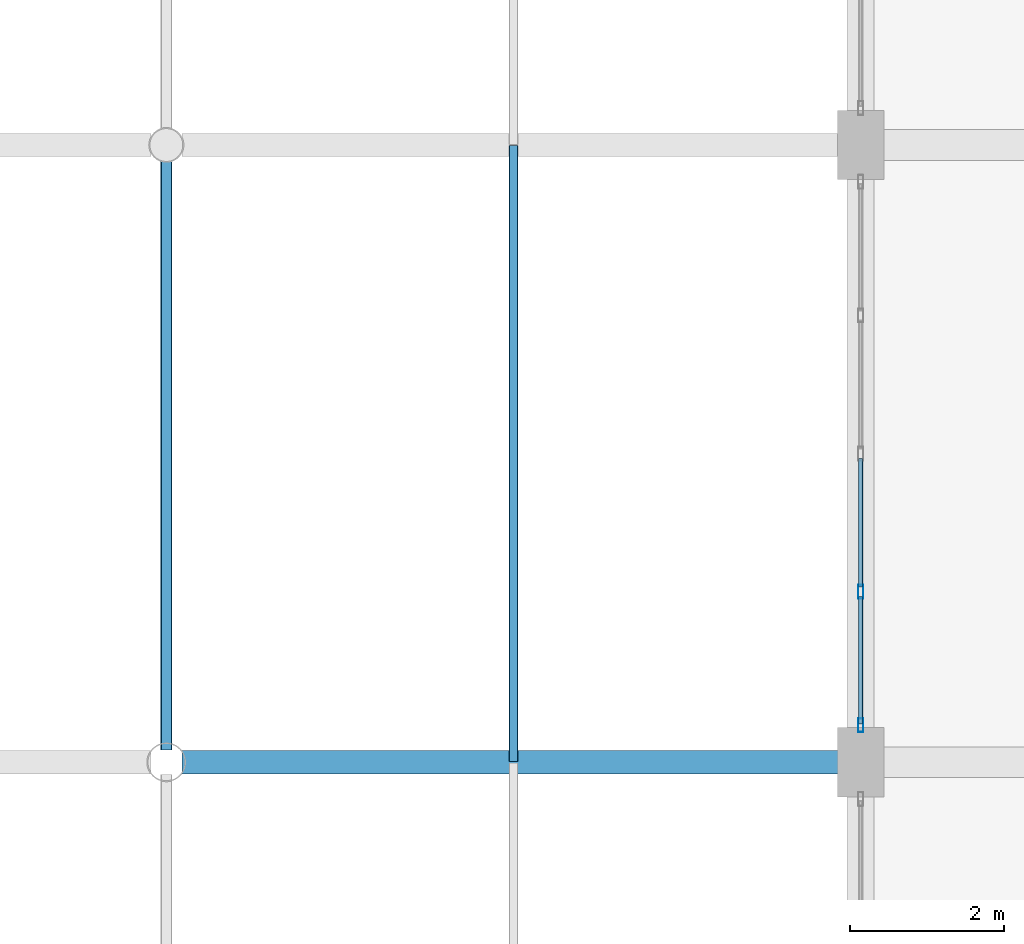
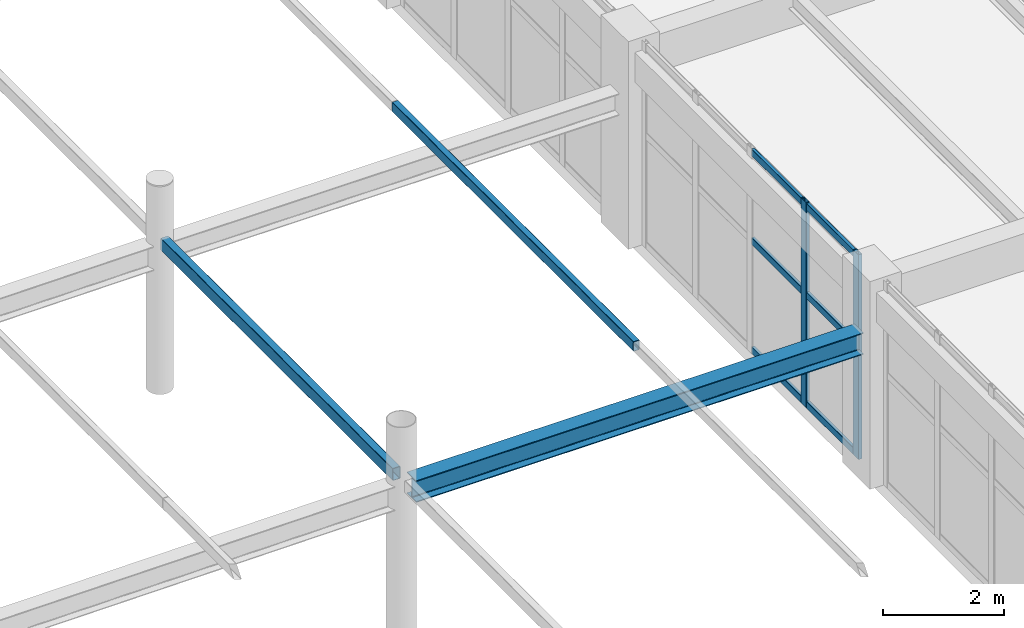
# One storey, part 37 of 148: 10 members, 1 beam, 1 element without a shape of its own.
"""IFC4 building model written with IfcOpenShell, lengths in metres."""

import ifcopenshell
import ifcopenshell.guid

model = None  # the IFC model being written
_history = None  # IfcOwnerHistory: only IFC2X3 demands one
_inside = {}  # id of a spatial element -> (the spatial element, [elements in it])
_under = {}  # id of a project, library or spatial element -> (it, [spatial elements below it])
_declared = {}  # id of a project -> (the project, [libraries it declares])
_typed = {}  # id of a type object -> (the type object, [elements of that type])
_made_of = {}  # id of a material, layer set ... -> (it, [elements and type objects made of it])


def new_model(schema):
    """Start an empty IFC model of exactly this schema.

    Asked for "IFC4X3", IfcOpenShell would pick the latest addendum, in which some entities
    have other attributes; the version numbers below select the first issue.
    IFC2X3 requires an IfcOwnerHistory on every rooted entity: one is made here for all.
    """
    global model, _history
    if schema == "IFC4X3":
        model = ifcopenshell.file(schema_version=(4, 3, 0, 0))
    else:
        model = ifcopenshell.file(schema=schema)
    _inside.clear()
    _under.clear()
    _declared.clear()
    _typed.clear()
    _made_of.clear()
    _history = None
    if model.schema == "IFC2X3":
        org = make("IfcOrganization", Name="unknown")
        user = make(
            "IfcPersonAndOrganization",
            ThePerson=make("IfcPerson", FamilyName="unknown"),
            TheOrganization=org,
        )
        app = make(
            "IfcApplication",
            ApplicationDeveloper=org,
            Version="unknown",
            ApplicationFullName="unknown",
            ApplicationIdentifier="unknown",
        )
        _history = make(
            "IfcOwnerHistory",
            OwningUser=user,
            OwningApplication=app,
            ChangeAction="ADDED",
            CreationDate=0,
        )
    return model


def make(cls, **values):
    """One entity of the class cls with the attributes given. An attribute that is None is left unset."""
    return model.create_entity(
        cls, **{name: value for name, value in values.items() if value is not None}
    )


def rooted(cls, **values):
    """An entity with a GlobalId (a new one), such as an element, a storey or a relation."""
    return make(cls, GlobalId=ifcopenshell.guid.new(), OwnerHistory=_history, **values)


def si_unit(unit_type, name, prefix=None):
    """IfcSIUnit, for example si_unit("LENGTHUNIT", "METRE", prefix="MILLI")."""
    return make("IfcSIUnit", UnitType=unit_type, Prefix=prefix, Name=name)


def derived_unit(unit_type, elements):
    """IfcDerivedUnit: a product of units, each with its exponent."""
    return make(
        "IfcDerivedUnit",
        Elements=[
            make("IfcDerivedUnitElement", Unit=unit, Exponent=power)
            for unit, power in elements
        ],
        UnitType=unit_type,
    )


def assignment(units):
    """IfcUnitAssignment: the units of a project."""
    return None if units is None else make("IfcUnitAssignment", Units=units)


def point(xyz):
    """IfcCartesianPoint."""
    return None if xyz is None else make("IfcCartesianPoint", Coordinates=xyz)


def direction(xyz):
    """IfcDirection."""
    return None if xyz is None else make("IfcDirection", DirectionRatios=xyz)


def frame(location, z_axis=None, x_axis=None):
    """IfcAxis2Placement3D, a coordinate frame: its origin and axes. An axis left out is left unset."""
    return make(
        "IfcAxis2Placement3D",
        Location=point(location),
        Axis=direction(z_axis),
        RefDirection=direction(x_axis),
    )


def frame_2d(location, x_axis=None):
    """IfcAxis2Placement2D, a coordinate frame in the plane: its origin and x axis."""
    return make(
        "IfcAxis2Placement2D", Location=point(location), RefDirection=direction(x_axis)
    )


def origin():
    """The frame at (0, 0, 0) with its axes left unset."""
    return frame((0.0, 0.0, 0.0))


def origin_2d():
    """The frame at (0, 0) in the plane with its x axis left unset."""
    return frame_2d((0.0, 0.0))


def place(relative_to, where):
    """IfcLocalPlacement: puts the frame where relative to a parent placement (None: the world)."""
    return make(
        "IfcLocalPlacement", PlacementRelTo=relative_to, RelativePlacement=where
    )


def context(
    kind, dimensions, precision=None, world=None, true_north=None, identifier=None
):
    """IfcGeometricRepresentationContext, for example the 3D "Model" context."""
    return make(
        "IfcGeometricRepresentationContext",
        ContextIdentifier=identifier,
        ContextType=kind,
        CoordinateSpaceDimension=dimensions,
        Precision=precision,
        WorldCoordinateSystem=world,
        TrueNorth=true_north,
    )


def subcontext(parent, identifier, kind, view, scale=None):
    """IfcGeometricRepresentationSubContext, for example "Body" below "Model"."""
    return make(
        "IfcGeometricRepresentationSubContext",
        ContextIdentifier=identifier,
        ContextType=kind,
        ParentContext=parent,
        TargetScale=scale,
        TargetView=view,
    )


def project(units=None, contexts=None):
    """IfcProject with its units and contexts."""
    return rooted(
        "IfcProject",
        Name="project",
        RepresentationContexts=contexts,
        UnitsInContext=assignment(units),
    )


def spatial(cls, under=None, at=None, **own):
    """A site, building, storey or space (cls), placed at a placement, below another one or the project."""
    s = rooted(cls, ObjectPlacement=at, **own)
    if under is not None:
        _under.setdefault(under.id(), (under, []))[1].append(s)
    return s


def profile(cls, at=None, kind="AREA", **sizes):
    """A parametric profile (cls). Its sizes go by their IFC names, for example OverallWidth=200.0."""
    return make(cls, ProfileType=kind, Position=at, **sizes)


def hollow_rectangle(**sizes):
    """IfcRectangleHollowProfileDef."""
    return profile("IfcRectangleHollowProfileDef", **sizes)


def i_section(**sizes):
    """IfcIShapeProfileDef."""
    return profile("IfcIShapeProfileDef", **sizes)


def extrude(swept, where, along, depth):
    """IfcExtrudedAreaSolid: the profile swept, set in the frame where, extruded along a direction by depth."""
    return make(
        "IfcExtrudedAreaSolid",
        SweptArea=swept,
        Position=where,
        ExtrudedDirection=direction(along),
        Depth=depth,
    )


def shape(context_of_items, identifier, shape_type, items):
    """IfcShapeRepresentation: the items that make up one representation, for example the "Body"."""
    return make(
        "IfcShapeRepresentation",
        ContextOfItems=context_of_items,
        RepresentationIdentifier=identifier,
        RepresentationType=shape_type,
        Items=items,
    )


def material(Name=None, Category=None):
    """IfcMaterial."""
    return make("IfcMaterial", Name=Name, Category=Category)


def material_profile(
    of_material, cross_section, Name=None, Category=None, Priority=None
):
    """IfcMaterialProfile: a cross section and its material."""
    return make(
        "IfcMaterialProfile",
        Name=Name,
        Material=of_material,
        Profile=cross_section,
        Priority=Priority,
        Category=Category,
    )


def profile_set(profiles, Name=None, composite=None):
    """IfcMaterialProfileSet."""
    return make(
        "IfcMaterialProfileSet",
        Name=Name,
        MaterialProfiles=profiles,
        CompositeProfile=composite,
    )


def made_of(thing, what):
    """Note that an element or type object is made of a material, layer set ...; save() writes the relation."""
    if what is not None:
        _made_of.setdefault(what.id(), (what, []))[1].append(thing)
    return thing


def type_object(cls, material=None, **own):
    """A type object (cls), such as IfcWallType, which elements share."""
    return made_of(rooted(cls, **own), material)


def element(
    cls,
    number,
    at=None,
    inside=None,
    cuts=None,
    type_object=None,
    material=None,
    context=None,
    identifier="Body",
    shape_type=None,
    held_by="IfcProductDefinitionShape",
    body=None,
    shapes=None,
    **own,
):
    """One element of the class cls, such as IfcWall. Its Tag is "e" and its number.

    at: its placement. inside: the storey or other place that contains it. cuts: it is an
    opening in that element (IfcRelVoidsElement). A single representation is given by context,
    identifier, shape_type and body (its items); several are given by shapes. held_by: the class
    of the entity that holds the representations. save() writes the other relations.
    """
    e = rooted(cls, Tag="e%d" % number, ObjectPlacement=at, **own)
    if body is not None:
        shapes = [shape(context, identifier, shape_type, body)]
    if shapes is not None:
        e.Representation = make(held_by, Representations=shapes)
    if inside is not None:
        _inside.setdefault(inside.id(), (inside, []))[1].append(e)
    if cuts is not None:
        rooted(
            "IfcRelVoidsElement", RelatingBuildingElement=cuts, RelatedOpeningElement=e
        )
    if type_object is not None:
        _typed.setdefault(type_object.id(), (type_object, []))[1].append(e)
    return made_of(e, material)


def aggregate(whole, parts):
    """IfcRelAggregates: a whole, such as a stair, and the parts it consists of."""
    return rooted("IfcRelAggregates", RelatingObject=whole, RelatedObjects=parts)


def save(model, path):
    """Write the relations noted so far, then the file.

    IfcRelAggregates (storeys below a building ...), IfcRelContainedInSpatialStructure (elements
    in a storey), IfcRelDefinesByType, IfcRelAssociatesMaterial and IfcRelDeclares: one each for
    every whole, place, type object, material and project.
    """
    for whole, parts in _under.values():
        aggregate(whole, parts)
    for where, things in _inside.values():
        rooted(
            "IfcRelContainedInSpatialStructure",
            RelatedElements=things,
            RelatingStructure=where,
        )
    for kind, things in _typed.values():
        rooted("IfcRelDefinesByType", RelatedObjects=things, RelatingType=kind)
    for what, things in _made_of.values():
        rooted("IfcRelAssociatesMaterial", RelatedObjects=things, RelatingMaterial=what)
    for by, libraries in _declared.values():
        rooted("IfcRelDeclares", RelatingContext=by, RelatedDefinitions=libraries)
    model.write(path)


model = new_model("IFC4")

# Units and contexts
model_context = context("Model", 3, precision=1e-05, world=origin(), true_north=direction((0.0, 1.0)))
body_context = subcontext(model_context, "Body", "Model", "MODEL_VIEW")
ifc_project = project(units=[si_unit("LENGTHUNIT", "METRE"), si_unit("AREAUNIT", "SQUARE_METRE"), si_unit("VOLUMEUNIT", "CUBIC_METRE"), si_unit("PLANEANGLEUNIT", "RADIAN"), si_unit("MASSUNIT", "GRAM", prefix="KILO"), derived_unit("THERMALTRANSMITTANCEUNIT", [(si_unit("MASSUNIT", "GRAM", prefix="KILO"), 1), (si_unit("TIMEUNIT", "SECOND"), -3), (si_unit("THERMODYNAMICTEMPERATUREUNIT", "KELVIN"), -1)])], contexts=[model_context])

# Site, building, storey
site_placement = place(None, origin())
site = spatial("IfcSite", under=ifc_project, at=site_placement, CompositionType="ELEMENT")
building_placement = place(site_placement, origin())
building = spatial("IfcBuilding", under=site, at=building_placement, Name="Zhenchuan Archway Interchange", CompositionType="ELEMENT")
storey_placement = place(building_placement, frame((0.0, 0.0, 10.199951171875)))
storey = spatial("IfcBuildingStorey", under=building, at=storey_placement, Name="L02", CompositionType="ELEMENT", Elevation=10.199951171875)

# Beam
ifc_material_1 = material(Name="Steel Q355", Category="steel")
ifc_material_profile_1 = material_profile(ifc_material_1, i_section(OverallWidth=0.300048828125, OverallDepth=0.43994140625, WebThickness=0.010986328125, FlangeThickness=0.01806640625, FilletRadius=0.02197265625, at=origin_2d()), Name="HM 440x300")
ifc_profile_set_1 = profile_set([ifc_material_profile_1], Name="Steel Q355")
beam_type = type_object("IfcBeamType", Name="BM_STL_HM440", PredefinedType="BEAM", material=ifc_profile_set_1)
beam_placement = place(storey_placement, frame((18.199951171875, 56.0, 2.75), z_axis=(1.0, 0.0, 0.0), x_axis=(0.0, 1.0, 0.0)))
element("IfcBeam", 1, at=beam_placement, inside=storey, type_object=beam_type, Name="ROOF TRUSS bus canopy T5 east bottom chord", PredefinedType="BEAM", context=body_context, shape_type="SweptSolid", body=[
    extrude(i_section(OverallWidth=0.300048828125, OverallDepth=0.43994140625, WebThickness=0.010986328125, FlangeThickness=0.01806640625, FilletRadius=0.02197265625, at=origin_2d()), origin(), (0.0, 0.0, 1.0), 8.550048828125),
])

# Curtain wall, members
ifc_material_2 = material(Name="Anodised Aluminium", Category="aluminium")
curtain_wall_type = type_object("IfcCurtainWallType", Name="CW_UNIT_3", PredefinedType="NOTDEFINED", material=ifc_material_2)
curtain_wall_placement = place(storey_placement, origin())
curtain_wall = element("IfcCurtainWall", 2, at=curtain_wall_placement, inside=storey, type_object=curtain_wall_type, Name="Unitised curtain wall CW:L02:130", PredefinedType="NOTDEFINED")
ifc_material_profile_2 = material_profile(ifc_material_2, hollow_rectangle(XDim=0.070068359375, YDim=0.179931640625, WallThickness=0.00390625, InnerFilletRadius=0.00390625, OuterFilletRadius=0.008056640625, at=origin_2d()), Name="ALU 180x70x4")
ifc_profile_set_2 = profile_set([ifc_material_profile_2], Name="Anodised Aluminium")
member_type_1 = type_object("IfcMemberType", Name="CW_MUL_180", PredefinedType="MULLION", material=ifc_profile_set_2)
member_1_placement = place(storey_placement, frame((27.0, 56.47802734375, 0.0), z_axis=(0.0, 0.0, 1.0), x_axis=(1.0, 0.0, 0.0)))
member_1 = element("IfcMember", 3, at=member_1_placement, type_object=member_type_1, Name="CW:L02:130 mullion 0", PredefinedType="MULLION", context=body_context, shape_type="SweptSolid", body=[
    extrude(hollow_rectangle(XDim=0.070068359375, YDim=0.179931640625, WallThickness=0.00390625, InnerFilletRadius=0.00390625, OuterFilletRadius=0.008056640625, at=origin_2d()), origin(), (0.0, 0.0, 1.0), 4.14013671875),
])
member_2_placement = place(storey_placement, frame((27.0, 58.208984375, 0.0), z_axis=(0.0, 0.0, 1.0), x_axis=(1.0, 0.0, 0.0)))
member_2 = element("IfcMember", 4, at=member_2_placement, type_object=member_type_1, Name="CW:L02:130 mullion 1", PredefinedType="MULLION", context=body_context, shape_type="SweptSolid", body=[
    extrude(hollow_rectangle(XDim=0.070068359375, YDim=0.179931640625, WallThickness=0.00390625, InnerFilletRadius=0.00390625, OuterFilletRadius=0.008056640625, at=origin_2d()), origin(), (0.0, 0.0, 1.0), 4.14013671875),
])
ifc_material_profile_3 = material_profile(ifc_material_2, hollow_rectangle(XDim=0.06005859375, YDim=0.139892578125, WallThickness=0.00341796875, InnerFilletRadius=0.00341796875, OuterFilletRadius=0.007080078125, at=origin_2d()), Name="ALU 140x60x3.5")
ifc_profile_set_3 = profile_set([ifc_material_profile_3], Name="Anodised Aluminium")
member_type_2 = type_object("IfcMemberType", Name="CW_TRN_140", PredefinedType="USERDEFINED", material=ifc_profile_set_3)
member_3_placement = place(storey_placement, frame((27.0, 56.498046875, 0.06005859375), z_axis=(0.0, 1.0, 0.0), x_axis=(-1.0, 0.0, 0.0)))
member_3 = element("IfcMember", 5, at=member_3_placement, type_object=member_type_2, Name="CW:L02:130 transom 0-1", ObjectType="TRANSOM", PredefinedType="USERDEFINED", context=body_context, shape_type="SweptSolid", body=[
    extrude(hollow_rectangle(XDim=0.06005859375, YDim=0.139892578125, WallThickness=0.00341796875, InnerFilletRadius=0.00341796875, OuterFilletRadius=0.007080078125, at=origin_2d()), origin(), (0.0, 0.0, 1.0), 1.65087890625),
])
member_4_placement = place(storey_placement, frame((27.0, 56.498046875, 2.26611328125), z_axis=(0.0, 1.0, 0.0), x_axis=(-1.0, 0.0, 0.0)))
member_4 = element("IfcMember", 6, at=member_4_placement, type_object=member_type_2, Name="CW:L02:130 transom 0-2", ObjectType="TRANSOM", PredefinedType="USERDEFINED", context=body_context, shape_type="SweptSolid", body=[
    extrude(hollow_rectangle(XDim=0.06005859375, YDim=0.139892578125, WallThickness=0.00341796875, InnerFilletRadius=0.00341796875, OuterFilletRadius=0.007080078125, at=origin_2d()), origin(), (0.0, 0.0, 1.0), 1.65087890625),
])
member_5_placement = place(storey_placement, frame((27.0, 56.498046875, 4.06005859375), z_axis=(0.0, 1.0, 0.0), x_axis=(-1.0, 0.0, 0.0)))
member_5 = element("IfcMember", 7, at=member_5_placement, type_object=member_type_2, Name="CW:L02:130 transom 0-3", ObjectType="TRANSOM", PredefinedType="USERDEFINED", context=body_context, shape_type="SweptSolid", body=[
    extrude(hollow_rectangle(XDim=0.06005859375, YDim=0.139892578125, WallThickness=0.00341796875, InnerFilletRadius=0.00341796875, OuterFilletRadius=0.007080078125, at=origin_2d()), origin(), (0.0, 0.0, 1.0), 1.65087890625),
])
member_6_placement = place(storey_placement, frame((27.0, 58.26904296875, 0.06005859375), z_axis=(0.0, 1.0, 0.0), x_axis=(-1.0, 0.0, 0.0)))
member_6 = element("IfcMember", 8, at=member_6_placement, type_object=member_type_2, Name="CW:L02:130 transom 1-1", ObjectType="TRANSOM", PredefinedType="USERDEFINED", context=body_context, shape_type="SweptSolid", body=[
    extrude(hollow_rectangle(XDim=0.06005859375, YDim=0.139892578125, WallThickness=0.00341796875, InnerFilletRadius=0.00341796875, OuterFilletRadius=0.007080078125, at=origin_2d()), origin(), (0.0, 0.0, 1.0), 1.6708984375),
])
member_7_placement = place(storey_placement, frame((27.0, 58.26904296875, 2.26611328125), z_axis=(0.0, 1.0, 0.0), x_axis=(-1.0, 0.0, 0.0)))
member_7 = element("IfcMember", 9, at=member_7_placement, type_object=member_type_2, Name="CW:L02:130 transom 1-2", ObjectType="TRANSOM", PredefinedType="USERDEFINED", context=body_context, shape_type="SweptSolid", body=[
    extrude(hollow_rectangle(XDim=0.06005859375, YDim=0.139892578125, WallThickness=0.00341796875, InnerFilletRadius=0.00341796875, OuterFilletRadius=0.007080078125, at=origin_2d()), origin(), (0.0, 0.0, 1.0), 1.6708984375),
])
member_8_placement = place(storey_placement, frame((27.0, 58.26904296875, 4.06005859375), z_axis=(0.0, 1.0, 0.0), x_axis=(-1.0, 0.0, 0.0)))
member_8 = element("IfcMember", 10, at=member_8_placement, type_object=member_type_2, Name="CW:L02:130 transom 1-3", ObjectType="TRANSOM", PredefinedType="USERDEFINED", context=body_context, shape_type="SweptSolid", body=[
    extrude(hollow_rectangle(XDim=0.06005859375, YDim=0.139892578125, WallThickness=0.00341796875, InnerFilletRadius=0.00341796875, OuterFilletRadius=0.007080078125, at=origin_2d()), origin(), (0.0, 0.0, 1.0), 1.6708984375),
])
aggregate(curtain_wall, [member_1, member_2, member_3, member_4, member_5, member_6, member_7, member_8])

# Members
ifc_material_profile_4 = material_profile(ifc_material_1, hollow_rectangle(XDim=0.1201171875, YDim=0.199951171875, WallThickness=0.008056640625, InnerFilletRadius=0.008056640625, OuterFilletRadius=0.01611328125, at=origin_2d()), Name="RHS 200x120x8")
ifc_profile_set_4 = profile_set([ifc_material_profile_4], Name="Steel Q355")
member_type_3 = type_object("IfcMemberType", Name="MB_RHS200", PredefinedType="PURLIN", material=ifc_profile_set_4)
member_9_placement = place(storey_placement, frame((22.5, 56.008056640625, 4.10009765625), z_axis=(0.0, 1.0, 0.0), x_axis=(-1.0, 0.0, 0.0)))
element("IfcMember", 11, at=member_9_placement, inside=storey, type_object=member_type_3, Name="Bus canopy roof purlin B5-P6", PredefinedType="PURLIN", context=body_context, shape_type="SweptSolid", body=[
    extrude(hollow_rectangle(XDim=0.1201171875, YDim=0.199951171875, WallThickness=0.008056640625, InnerFilletRadius=0.008056640625, OuterFilletRadius=0.01611328125, at=origin_2d()), origin(), (0.0, 0.0, 1.0), 7.98388671875),
])
ifc_material_profile_5 = material_profile(ifc_material_1, hollow_rectangle(XDim=0.14990234375, YDim=0.25, WallThickness=0.008056640625, InnerFilletRadius=0.008056640625, OuterFilletRadius=0.01611328125, at=origin_2d()), Name="RHS 250x150x8")
ifc_profile_set_5 = profile_set([ifc_material_profile_5], Name="Steel Q355")
member_type_4 = type_object("IfcMemberType", Name="MB_RHS250", PredefinedType="PURLIN", material=ifc_profile_set_5)
member_10_placement = place(storey_placement, frame((18.0, 56.159912109375, 3.0), z_axis=(0.0, 1.0, 0.0), x_axis=(-1.0, 0.0, 0.0)))
element("IfcMember", 12, at=member_10_placement, inside=storey, type_object=member_type_4, Name="Bus canopy roof purlin B5-P5", PredefinedType="PURLIN", context=body_context, shape_type="SweptSolid", body=[
    extrude(hollow_rectangle(XDim=0.14990234375, YDim=0.25, WallThickness=0.008056640625, InnerFilletRadius=0.008056640625, OuterFilletRadius=0.01611328125, at=origin_2d()), origin(), (0.0, 0.0, 1.0), 7.68017578125),
])

save(model, "model.ifc")
